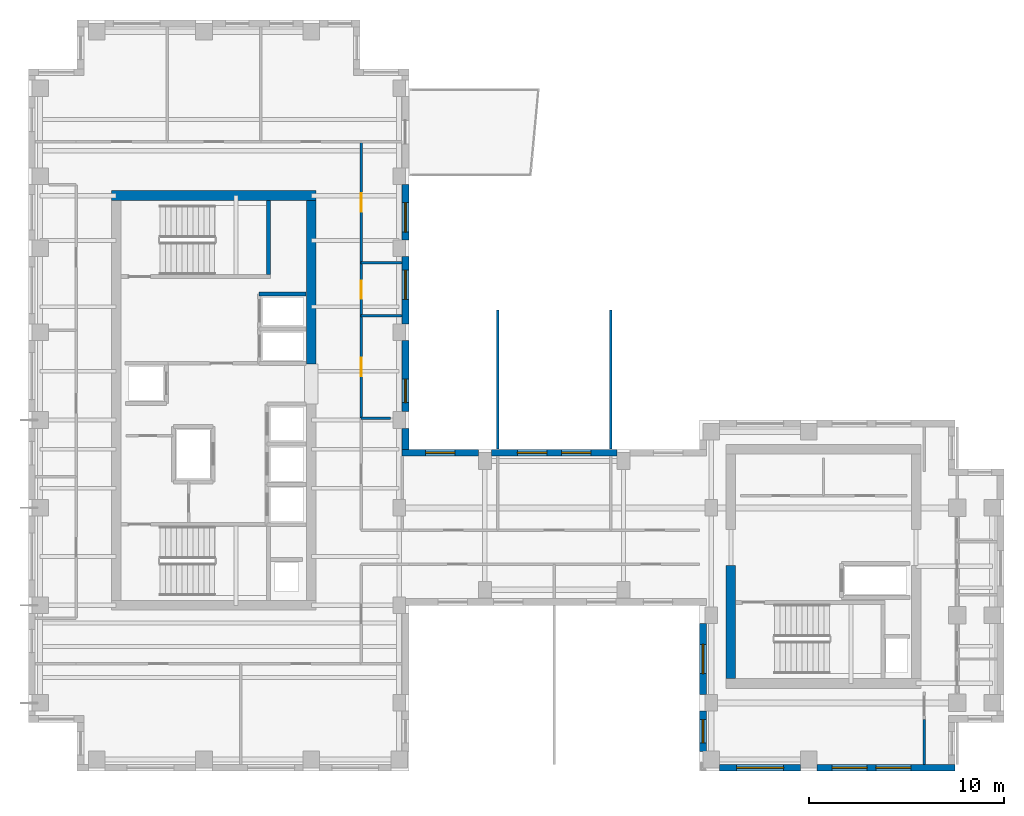
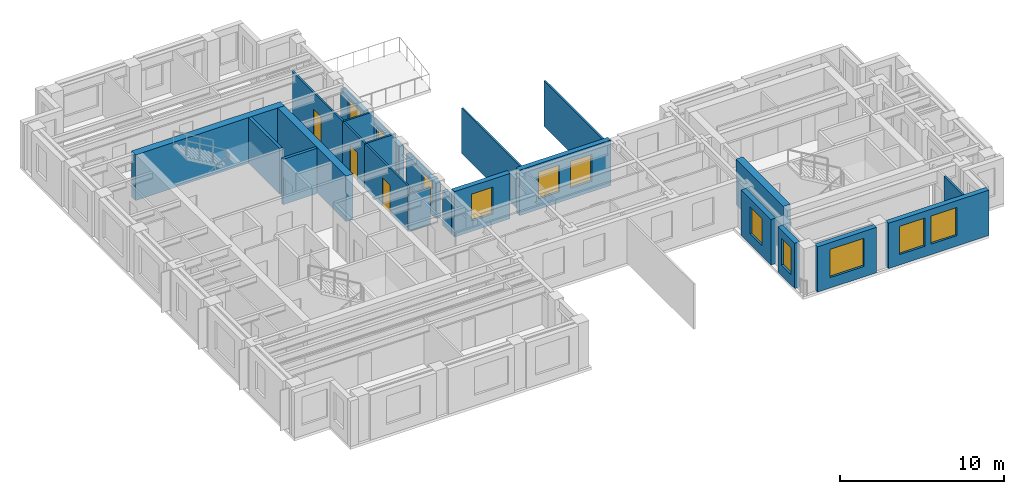
# One storey, part 5 of 10: 24 walls, 11 windows, 3 doors, 14 openings.
"""IFC4 building model written with IfcOpenShell, lengths in metres."""

from ifc_helpers import new_model, si_unit, direction, frame, frame_2d, origin, place, context, subcontext, project, spatial, rectangle, extrude, source, transform, mapped, material, layer, layer_set, type_object, element, fill, save


model = new_model("IFC4")

# Units and contexts
model_context = context("Model", 3, precision=1e-05, world=origin(), true_north=direction((0.0, 1.0)))
body_context = subcontext(model_context, "Body", "Model", "MODEL_VIEW")
ifc_project = project(units=[si_unit("LENGTHUNIT", "METRE"), si_unit("AREAUNIT", "SQUARE_METRE"), si_unit("VOLUMEUNIT", "CUBIC_METRE"), si_unit("PLANEANGLEUNIT", "RADIAN"), si_unit("MASSUNIT", "GRAM", prefix="KILO")], contexts=[model_context])

# Site, building, storey
site_placement = place(None, origin())
site = spatial("IfcSite", under=ifc_project, at=site_placement, CompositionType="ELEMENT")
building_placement = place(site_placement, origin())
building = spatial("IfcBuilding", under=site, at=building_placement, Name="Kharzan Plaza Tower", CompositionType="ELEMENT")
storey_placement = place(building_placement, frame((0.0, 0.0, 237.60009765625)))
storey = spatial("IfcBuildingStorey", under=building, at=storey_placement, Name="L64", CompositionType="ELEMENT", Elevation=237.60009765625)

# Wall, opening, window
ifc_material_1 = material(Name="Concrete C40/50", Category="concrete")
ifc_layer_1 = layer(ifc_material_1, 0.35009765625)
ifc_layer_set_1 = layer_set([ifc_layer_1], Name="Concrete C40/50")
wall_type_1 = type_object("IfcWallType", Name="WL-EXT-MAS-Z4", PredefinedType="SOLIDWALL", material=ifc_layer_set_1)
wall_1_placement = place(storey_placement, frame((19.324951171875, 18.423095703125, 0.0), z_axis=(0.0, 0.0, 1.0), x_axis=(0.0, 1.0, 0.0)))
wall_1 = element("IfcWall", 1, at=wall_1_placement, inside=storey, type_object=wall_type_1, Name="L64 Masonry-Frame Exterior Wall 02", PredefinedType="SOLIDWALL", context=body_context, shape_type="SweptSolid", body=[
    extrude(rectangle(XDim=3.65380859375, YDim=0.35009765625, at=frame_2d((1.826904296875, 0.0))), origin(), (0.0, 0.0, 1.0), 2.618896484375),
])
opening_1_placement = place(wall_1_placement, frame((0.469970703125, 0.0, 0.780029296875)))
opening_1 = element("IfcOpeningElement", 2, at=opening_1_placement, cuts=wall_1, Name="Opening W3", PredefinedType="OPENING", context=body_context, shape_type="SweptSolid", body=[
    extrude(rectangle(XDim=1.199951171875, YDim=1.658935546875, at=frame_2d((0.60009765625, 0.82958984375))), frame((0.0, 0.18505859375, 0.0), z_axis=(0.0, -1.0, 0.0), x_axis=(1.0, 0.0, 0.0)), (0.0, 0.0, 1.0), 0.3701171875),
])
ifc_material_2 = material(Name="Low-E Double Glazing", Category="glass")
window_type_1 = type_object("IfcWindowType", Name="WN-REC-1200x2100", PartitioningType="SINGLE_PANEL", PredefinedType="WINDOW", material=ifc_material_2)
shared_shape_1 = source(origin(), body_context, "Body", "SweptSolid", [
    extrude(rectangle(XDim=1.199951171875, YDim=1.658935546875, at=frame_2d((0.60009765625, 0.82958984375))), frame((0.0, 0.030029296875, 0.0), z_axis=(0.0, -1.0, 0.0), x_axis=(1.0, 0.0, 0.0)), (0.0, 0.0, 1.0), 0.06005859375),
])
window_1_placement = place(opening_1_placement, origin())
window_1 = element("IfcWindow", 3, at=window_1_placement, inside=storey, type_object=window_type_1, Name="L64 Recessed Solar-Control Window 02-1", OverallHeight=1.658935546875, OverallWidth=1.199951171875, PartitioningType="SINGLE_PANEL", PredefinedType="WINDOW", context=body_context, shape_type="MappedRepresentation", body=[
    mapped(shared_shape_1, transform((0.0, 0.0, 0.0), x_axis=(1.0, 0.0, 0.0), y_axis=(0.0, 1.0, 0.0), z_axis=(0.0, 0.0, 1.0))),
])
fill(opening_1, window_1)

wall_2_placement = place(storey_placement, frame((19.324951171875, 22.923095703125, 0.0), z_axis=(0.0, 0.0, 1.0), x_axis=(0.0, 1.0, 0.0)))
wall_2 = element("IfcWall", 4, at=wall_2_placement, inside=storey, type_object=wall_type_1, Name="L64 Masonry-Frame Exterior Wall 03", PredefinedType="SOLIDWALL", context=body_context, shape_type="SweptSolid", body=[
    extrude(rectangle(XDim=3.453857421875, YDim=0.35009765625, at=frame_2d((1.72705078125, 0.0))), origin(), (0.0, 0.0, 1.0), 2.618896484375),
])
opening_2_placement = place(wall_2_placement, frame((1.255615234375, 0.0, 0.780029296875)))
opening_2 = element("IfcOpeningElement", 5, at=opening_2_placement, cuts=wall_2, Name="Opening W5", PredefinedType="OPENING", context=body_context, shape_type="SweptSolid", body=[
    extrude(rectangle(XDim=1.5, YDim=1.658935546875, at=frame_2d((0.75, 0.82958984375))), frame((0.0, 0.18505859375, 0.0), z_axis=(0.0, -1.0, 0.0), x_axis=(1.0, 0.0, 0.0)), (0.0, 0.0, 1.0), 0.3701171875),
])
window_type_2 = type_object("IfcWindowType", Name="WN-SLT-1500x2000", PartitioningType="SINGLE_PANEL", PredefinedType="WINDOW", material=ifc_material_2)
shared_shape_2 = source(origin(), body_context, "Body", "SweptSolid", [
    extrude(rectangle(XDim=1.5, YDim=1.658935546875, at=frame_2d((0.75, 0.82958984375))), frame((0.0, 0.030029296875, 0.0), z_axis=(0.0, -1.0, 0.0), x_axis=(1.0, 0.0, 0.0)), (0.0, 0.0, 1.0), 0.06005859375),
])
window_2_placement = place(opening_2_placement, origin())
window_2 = element("IfcWindow", 6, at=window_2_placement, inside=storey, type_object=window_type_2, Name="L64 Recessed Solar-Control Window 03-1", OverallHeight=1.658935546875, OverallWidth=1.5, PartitioningType="SINGLE_PANEL", PredefinedType="WINDOW", context=body_context, shape_type="MappedRepresentation", body=[
    mapped(shared_shape_2, transform((0.0, 0.0, 0.0), x_axis=(1.0, 0.0, 0.0), y_axis=(0.0, 1.0, 0.0), z_axis=(0.0, 0.0, 1.0))),
])
fill(opening_2, window_2)

wall_3_placement = place(storey_placement, frame((19.324951171875, 27.222900390625, 0.0), z_axis=(0.0, 0.0, 1.0), x_axis=(0.0, 1.0, 0.0)))
wall_3 = element("IfcWall", 7, at=wall_3_placement, inside=storey, type_object=wall_type_1, Name="L64 Masonry-Frame Exterior Wall 04", PredefinedType="SOLIDWALL", context=body_context, shape_type="SweptSolid", body=[
    extrude(rectangle(XDim=2.85400390625, YDim=0.35009765625, at=frame_2d((1.427001953125, 0.0))), origin(), (0.0, 0.0, 1.0), 2.618896484375),
])
opening_3_placement = place(wall_3_placement, frame((0.411376953125, 0.0, 0.780029296875)))
opening_3 = element("IfcOpeningElement", 8, at=opening_3_placement, cuts=wall_3, Name="Opening W5", PredefinedType="OPENING", context=body_context, shape_type="SweptSolid", body=[
    extrude(rectangle(XDim=1.5, YDim=1.658935546875, at=frame_2d((0.75, 0.82958984375))), frame((0.0, 0.18505859375, 0.0), z_axis=(0.0, -1.0, 0.0), x_axis=(1.0, 0.0, 0.0)), (0.0, 0.0, 1.0), 0.3701171875),
])
window_3_placement = place(opening_3_placement, origin())
window_3 = element("IfcWindow", 9, at=window_3_placement, inside=storey, type_object=window_type_2, Name="L64 Recessed Solar-Control Window 04-1", OverallHeight=1.658935546875, OverallWidth=1.5, PartitioningType="SINGLE_PANEL", PredefinedType="WINDOW", context=body_context, shape_type="MappedRepresentation", body=[
    mapped(shared_shape_2, transform((0.0, 0.0, 0.0), x_axis=(1.0, 0.0, 0.0), y_axis=(0.0, 1.0, 0.0), z_axis=(0.0, 0.0, 1.0))),
])
fill(opening_3, window_3)

wall_4_placement = place(storey_placement, frame((34.574951171875, 7.576904296875, 0.0), z_axis=(0.0, 0.0, 1.0), x_axis=(0.0, -1.0, 0.0)))
wall_4 = element("IfcWall", 10, at=wall_4_placement, inside=storey, type_object=wall_type_1, Name="L64 Masonry-Frame Exterior Wall 33", PredefinedType="SOLIDWALL", context=body_context, shape_type="SweptSolid", body=[
    extrude(rectangle(XDim=3.65380859375, YDim=0.35009765625, at=frame_2d((1.826904296875, 0.0))), origin(), (0.0, 0.0, 1.0), 3.385009765625),
])
opening_4_placement = place(wall_4_placement, frame((1.076904296875, 0.0, 0.780029296875)))
opening_4 = element("IfcOpeningElement", 11, at=opening_4_placement, cuts=wall_4, Name="Opening W5", PredefinedType="OPENING", context=body_context, shape_type="SweptSolid", body=[
    extrude(rectangle(XDim=1.5, YDim=2.0, at=frame_2d((0.75, 1.0))), frame((0.0, 0.18505859375, 0.0), z_axis=(0.0, -1.0, 0.0), x_axis=(1.0, 0.0, 0.0)), (0.0, 0.0, 1.0), 0.3701171875),
])
shared_shape_3 = source(origin(), body_context, "Body", "SweptSolid", [
    extrude(rectangle(XDim=1.5, YDim=2.0, at=frame_2d((0.75, 1.0))), frame((0.0, 0.030029296875, 0.0), z_axis=(0.0, -1.0, 0.0), x_axis=(1.0, 0.0, 0.0)), (0.0, 0.0, 1.0), 0.06005859375),
])
window_4_placement = place(opening_4_placement, origin())
window_4 = element("IfcWindow", 12, at=window_4_placement, inside=storey, type_object=window_type_2, Name="L64 Recessed Solar-Control Window 33-1", OverallHeight=2.0, OverallWidth=1.5, PartitioningType="SINGLE_PANEL", PredefinedType="WINDOW", context=body_context, shape_type="MappedRepresentation", body=[
    mapped(shared_shape_3, transform((0.0, 0.0, 0.0), x_axis=(1.0, 0.0, 0.0), y_axis=(0.0, 1.0, 0.0), z_axis=(0.0, 0.0, 1.0))),
])
fill(opening_4, window_4)

wall_5_placement = place(storey_placement, frame((34.574951171875, 3.076904296875, 0.0), z_axis=(0.0, 0.0, 1.0), x_axis=(0.0, -1.0, 0.0)))
wall_5 = element("IfcWall", 13, at=wall_5_placement, inside=storey, type_object=wall_type_1, Name="L64 Masonry-Frame Exterior Wall 34", PredefinedType="SOLIDWALL", context=body_context, shape_type="SweptSolid", body=[
    extrude(rectangle(XDim=2.053955078125, YDim=0.35009765625, at=frame_2d((1.02685546875, 0.0))), origin(), (0.0, 0.0, 1.0), 3.385009765625),
])
opening_5_placement = place(wall_5_placement, frame((0.427001953125, 0.0, 0.780029296875)))
opening_5 = element("IfcOpeningElement", 14, at=opening_5_placement, cuts=wall_5, Name="Opening W3", PredefinedType="OPENING", context=body_context, shape_type="SweptSolid", body=[
    extrude(rectangle(XDim=1.199951171875, YDim=2.0, at=frame_2d((0.60009765625, 1.0))), frame((0.0, 0.18505859375, 0.0), z_axis=(0.0, -1.0, 0.0), x_axis=(1.0, 0.0, 0.0)), (0.0, 0.0, 1.0), 0.3701171875),
])
shared_shape_4 = source(origin(), body_context, "Body", "SweptSolid", [
    extrude(rectangle(XDim=1.199951171875, YDim=2.0, at=frame_2d((0.60009765625, 1.0))), frame((0.0, 0.030029296875, 0.0), z_axis=(0.0, -1.0, 0.0), x_axis=(1.0, 0.0, 0.0)), (0.0, 0.0, 1.0), 0.06005859375),
])
window_5_placement = place(opening_5_placement, origin())
window_5 = element("IfcWindow", 15, at=window_5_placement, inside=storey, type_object=window_type_1, Name="L64 Recessed Solar-Control Window 34-1", OverallHeight=2.0, OverallWidth=1.199951171875, PartitioningType="SINGLE_PANEL", PredefinedType="WINDOW", context=body_context, shape_type="MappedRepresentation", body=[
    mapped(shared_shape_4, transform((0.0, 0.0, 0.0), x_axis=(1.0, 0.0, 0.0), y_axis=(0.0, 1.0, 0.0), z_axis=(0.0, 0.0, 1.0))),
])
fill(opening_5, window_5)

wall_6_placement = place(storey_placement, frame((35.423095703125, 0.175048828125, 0.0), z_axis=(0.0, 0.0, 1.0), x_axis=(1.0, 0.0, 0.0)))
wall_6 = element("IfcWall", 16, at=wall_6_placement, inside=storey, type_object=wall_type_1, Name="L64 Masonry-Frame Exterior Wall 35", PredefinedType="SOLIDWALL", context=body_context, shape_type="SweptSolid", body=[
    extrude(rectangle(XDim=4.15380859375, YDim=0.35009765625, at=frame_2d((2.076904296875, 0.0))), origin(), (0.0, 0.0, 1.0), 3.385009765625),
])
opening_6_placement = place(wall_6_placement, frame((0.876953125, 0.0, 0.780029296875)))
opening_6 = element("IfcOpeningElement", 17, at=opening_6_placement, cuts=wall_6, Name="Opening W2", PredefinedType="OPENING", context=body_context, shape_type="SweptSolid", body=[
    extrude(rectangle(XDim=2.39990234375, YDim=2.10009765625, at=frame_2d((1.199951171875, 1.050048828125))), frame((0.0, 0.18505859375, 0.0), z_axis=(0.0, -1.0, 0.0), x_axis=(1.0, 0.0, 0.0)), (0.0, 0.0, 1.0), 0.3701171875),
])
window_type_3 = type_object("IfcWindowType", Name="WN-REC-2400x2100", PartitioningType="SINGLE_PANEL", PredefinedType="WINDOW", material=ifc_material_2)
shared_shape_5 = source(origin(), body_context, "Body", "SweptSolid", [
    extrude(rectangle(XDim=2.39990234375, YDim=2.10009765625, at=frame_2d((1.199951171875, 1.050048828125))), frame((0.0, 0.030029296875, 0.0), z_axis=(0.0, -1.0, 0.0), x_axis=(1.0, 0.0, 0.0)), (0.0, 0.0, 1.0), 0.06005859375),
])
window_6_placement = place(opening_6_placement, origin())
window_6 = element("IfcWindow", 18, at=window_6_placement, inside=storey, type_object=window_type_3, Name="L64 Wide Recessed Solar-Control Window 35-1", OverallHeight=2.10009765625, OverallWidth=2.39990234375, PartitioningType="SINGLE_PANEL", PredefinedType="WINDOW", context=body_context, shape_type="MappedRepresentation", body=[
    mapped(shared_shape_5, transform((0.0, 0.0, 0.0), x_axis=(1.0, 0.0, 0.0), y_axis=(0.0, 1.0, 0.0), z_axis=(0.0, 0.0, 1.0))),
])
fill(opening_6, window_6)

# Wall, openings, windows
wall_7_placement = place(storey_placement, frame((40.423095703125, 0.175048828125, 0.0), z_axis=(0.0, 0.0, 1.0), x_axis=(1.0, 0.0, 0.0)))
wall_7 = element("IfcWall", 19, at=wall_7_placement, inside=storey, type_object=wall_type_1, Name="L64 Masonry-Frame Exterior Wall 36", PredefinedType="SOLIDWALL", context=body_context, shape_type="SweptSolid", body=[
    extrude(rectangle(XDim=7.076904296875, YDim=0.35009765625, at=frame_2d((3.53857421875, 0.0))), origin(), (0.0, 0.0, 1.0), 3.385009765625),
])
opening_7_placement = place(wall_7_placement, frame((0.76220703125, 0.0, 0.780029296875)))
opening_7 = element("IfcOpeningElement", 20, at=opening_7_placement, cuts=wall_7, Name="Opening W1", PredefinedType="OPENING", context=body_context, shape_type="SweptSolid", body=[
    extrude(rectangle(XDim=1.800048828125, YDim=2.10009765625, at=frame_2d((0.89990234375, 1.050048828125))), frame((0.0, 0.18505859375, 0.0), z_axis=(0.0, -1.0, 0.0), x_axis=(1.0, 0.0, 0.0)), (0.0, 0.0, 1.0), 0.3701171875),
])
opening_8_placement = place(wall_7_placement, frame((3.004638671875, 0.0, 0.780029296875)))
opening_8 = element("IfcOpeningElement", 21, at=opening_8_placement, cuts=wall_7, Name="Opening W1", PredefinedType="OPENING", context=body_context, shape_type="SweptSolid", body=[
    extrude(rectangle(XDim=1.800048828125, YDim=2.10009765625, at=frame_2d((0.89990234375, 1.050048828125))), frame((0.0, 0.18505859375, 0.0), z_axis=(0.0, -1.0, 0.0), x_axis=(1.0, 0.0, 0.0)), (0.0, 0.0, 1.0), 0.3701171875),
])
window_type_4 = type_object("IfcWindowType", Name="WN-REC-1800x2100", PartitioningType="SINGLE_PANEL", PredefinedType="WINDOW", material=ifc_material_2)
shared_shape_6 = source(origin(), body_context, "Body", "SweptSolid", [
    extrude(rectangle(XDim=1.800048828125, YDim=2.10009765625, at=frame_2d((0.89990234375, 1.050048828125))), frame((0.0, 0.030029296875, 0.0), z_axis=(0.0, -1.0, 0.0), x_axis=(1.0, 0.0, 0.0)), (0.0, 0.0, 1.0), 0.06005859375),
])
window_7_placement = place(opening_7_placement, origin())
window_7 = element("IfcWindow", 22, at=window_7_placement, inside=storey, type_object=window_type_4, Name="L64 Recessed Solar-Control Window 36-1", OverallHeight=2.10009765625, OverallWidth=1.800048828125, PartitioningType="SINGLE_PANEL", PredefinedType="WINDOW", context=body_context, shape_type="MappedRepresentation", body=[
    mapped(shared_shape_6, transform((0.0, 0.0, 0.0), x_axis=(1.0, 0.0, 0.0), y_axis=(0.0, 1.0, 0.0), z_axis=(0.0, 0.0, 1.0))),
])
fill(opening_7, window_7)
window_8_placement = place(opening_8_placement, origin())
window_8 = element("IfcWindow", 23, at=window_8_placement, inside=storey, type_object=window_type_4, Name="L64 Recessed Solar-Control Window 36-2", OverallHeight=2.10009765625, OverallWidth=1.800048828125, PartitioningType="SINGLE_PANEL", PredefinedType="WINDOW", context=body_context, shape_type="MappedRepresentation", body=[
    mapped(shared_shape_6, transform((0.0, 0.0, 0.0), x_axis=(1.0, 0.0, 0.0), y_axis=(0.0, 1.0, 0.0), z_axis=(0.0, 0.0, 1.0))),
])
fill(opening_8, window_8)

wall_8_placement = place(storey_placement, frame((30.177001953125, 16.324951171875, 0.0), z_axis=(0.0, 0.0, 1.0), x_axis=(-1.0, 0.0, 0.0)))
wall_8 = element("IfcWall", 24, at=wall_8_placement, inside=storey, type_object=wall_type_1, Name="L64 Masonry-Frame Exterior Wall 49", PredefinedType="SOLIDWALL", context=body_context, shape_type="SweptSolid", body=[
    extrude(rectangle(XDim=6.4541015625, YDim=0.35009765625, at=frame_2d((3.22705078125, 0.0))), origin(), (0.0, 0.0, 1.0), 3.385009765625),
])
opening_9_placement = place(wall_8_placement, frame((1.34375, 0.0, 0.780029296875)))
opening_9 = element("IfcOpeningElement", 25, at=opening_9_placement, cuts=wall_8, Name="Opening W5", PredefinedType="OPENING", context=body_context, shape_type="SweptSolid", body=[
    extrude(rectangle(XDim=1.5, YDim=2.0, at=frame_2d((0.75, 1.0))), frame((0.0, 0.18505859375, 0.0), z_axis=(0.0, -1.0, 0.0), x_axis=(1.0, 0.0, 0.0)), (0.0, 0.0, 1.0), 0.3701171875),
])
opening_10_placement = place(wall_8_placement, frame((3.6103515625, 0.0, 0.780029296875)))
opening_10 = element("IfcOpeningElement", 26, at=opening_10_placement, cuts=wall_8, Name="Opening W5", PredefinedType="OPENING", context=body_context, shape_type="SweptSolid", body=[
    extrude(rectangle(XDim=1.5, YDim=2.0, at=frame_2d((0.75, 1.0))), frame((0.0, 0.18505859375, 0.0), z_axis=(0.0, -1.0, 0.0), x_axis=(1.0, 0.0, 0.0)), (0.0, 0.0, 1.0), 0.3701171875),
])
window_9_placement = place(opening_9_placement, origin())
window_9 = element("IfcWindow", 27, at=window_9_placement, inside=storey, type_object=window_type_2, Name="L64 Recessed Solar-Control Window 49-1", OverallHeight=2.0, OverallWidth=1.5, PartitioningType="SINGLE_PANEL", PredefinedType="WINDOW", context=body_context, shape_type="MappedRepresentation", body=[
    mapped(shared_shape_3, transform((0.0, 0.0, 0.0), x_axis=(1.0, 0.0, 0.0), y_axis=(0.0, 1.0, 0.0), z_axis=(0.0, 0.0, 1.0))),
])
fill(opening_9, window_9)
window_10_placement = place(opening_10_placement, origin())
window_10 = element("IfcWindow", 28, at=window_10_placement, inside=storey, type_object=window_type_2, Name="L64 Recessed Solar-Control Window 49-2", OverallHeight=2.0, OverallWidth=1.5, PartitioningType="SINGLE_PANEL", PredefinedType="WINDOW", context=body_context, shape_type="MappedRepresentation", body=[
    mapped(shared_shape_3, transform((0.0, 0.0, 0.0), x_axis=(1.0, 0.0, 0.0), y_axis=(0.0, 1.0, 0.0), z_axis=(0.0, 0.0, 1.0))),
])
fill(opening_10, window_10)

# Wall, opening, window
wall_9_placement = place(storey_placement, frame((23.076904296875, 16.324951171875, 0.0), z_axis=(0.0, 0.0, 1.0), x_axis=(-1.0, 0.0, 0.0)))
wall_9 = element("IfcWall", 29, at=wall_9_placement, inside=storey, type_object=wall_type_1, Name="L64 Masonry-Frame Exterior Wall 50", PredefinedType="SOLIDWALL", context=body_context, shape_type="SweptSolid", body=[
    extrude(rectangle(XDim=3.927001953125, YDim=0.35009765625, at=frame_2d((1.96337890625, 0.0))), origin(), (0.0, 0.0, 1.0), 3.385009765625),
])
opening_11_placement = place(wall_9_placement, frame((1.21337890625, 0.0, 0.780029296875)))
opening_11 = element("IfcOpeningElement", 30, at=opening_11_placement, cuts=wall_9, Name="Opening W5", PredefinedType="OPENING", context=body_context, shape_type="SweptSolid", body=[
    extrude(rectangle(XDim=1.5, YDim=2.0, at=frame_2d((0.75, 1.0))), frame((0.0, 0.18505859375, 0.0), z_axis=(0.0, -1.0, 0.0), x_axis=(1.0, 0.0, 0.0)), (0.0, 0.0, 1.0), 0.3701171875),
])
window_11_placement = place(opening_11_placement, origin())
window_11 = element("IfcWindow", 31, at=window_11_placement, inside=storey, type_object=window_type_2, Name="L64 Recessed Solar-Control Window 50-1", OverallHeight=2.0, OverallWidth=1.5, PartitioningType="SINGLE_PANEL", PredefinedType="WINDOW", context=body_context, shape_type="MappedRepresentation", body=[
    mapped(shared_shape_3, transform((0.0, 0.0, 0.0), x_axis=(1.0, 0.0, 0.0), y_axis=(0.0, 1.0, 0.0), z_axis=(0.0, 0.0, 1.0))),
])
fill(opening_11, window_11)

# Wall, opening, door
ifc_material_3 = material(Name="Fire-Rated Gypsum Board Partition", Category="gypsum")
ifc_layer_2 = layer(ifc_material_3, 0.125)
ifc_layer_set_2 = layer_set([ifc_layer_2], Name="Fire-Rated Gypsum Board Partition")
wall_type_2 = type_object("IfcWallType", Name="WL-INT-PART-125", PredefinedType="PARTITIONING", material=ifc_layer_set_2)
wall_10_placement = place(storey_placement, frame((17.050048828125, 18.10009765625, 0.0), z_axis=(0.0, 0.0, 1.0), x_axis=(0.0, 1.0, 0.0)))
wall_10 = element("IfcWall", 32, at=wall_10_placement, inside=storey, type_object=wall_type_2, Name="L64 Interior Partition SH-AEWN2", PredefinedType="PARTITIONING", context=body_context, shape_type="SweptSolid", body=[
    extrude(rectangle(XDim=5.25, YDim=0.125, at=frame_2d((2.625, 0.0))), origin(), (0.0, 0.0, 1.0), 3.385009765625),
])
opening_12_placement = place(wall_10_placement, frame((2.14990234375, 0.0, 0.0)))
opening_12 = element("IfcOpeningElement", 33, at=opening_12_placement, cuts=wall_10, Name="Opening OD1", PredefinedType="OPENING", context=body_context, shape_type="SweptSolid", body=[
    extrude(rectangle(XDim=0.949951171875, YDim=2.14990234375, at=frame_2d((0.47509765625, 1.074951171875))), frame((0.0, 0.072509765625, 0.0), z_axis=(0.0, -1.0, 0.0), x_axis=(1.0, 0.0, 0.0)), (0.0, 0.0, 1.0), 0.14501953125),
])
ifc_material_4 = material(Name="Acoustic Solid-Core Stained Oak", Category="timber")
door_type_1 = type_object("IfcDoorType", Name="DR-OFF-SINGLE", OperationType="NOTDEFINED", PredefinedType="DOOR", material=ifc_material_4)
shared_shape_7 = source(origin(), body_context, "Body", "SweptSolid", [
    extrude(rectangle(XDim=0.949951171875, YDim=2.14990234375, at=frame_2d((0.47509765625, 1.074951171875))), frame((0.0, 0.02490234375, 0.0), z_axis=(0.0, -1.0, 0.0), x_axis=(1.0, 0.0, 0.0)), (0.0, 0.0, 1.0), 0.050048828125),
])
door_1_placement = place(opening_12_placement, origin())
door_1 = element("IfcDoor", 34, at=door_1_placement, inside=storey, type_object=door_type_1, Name="L64 Slot Studio Door", OperationType="SINGLE_SWING_RIGHT", OverallHeight=2.14990234375, OverallWidth=0.949951171875, PredefinedType="DOOR", context=body_context, shape_type="MappedRepresentation", body=[
    mapped(shared_shape_7, transform((0.0, 0.0, 0.0), x_axis=(1.0, 0.0, 0.0), y_axis=(0.0, 1.0, 0.0), z_axis=(0.0, 0.0, 1.0))),
])
fill(opening_12, door_1)

wall_11_placement = place(storey_placement, frame((17.050048828125, 26.050048828125, 0.0), z_axis=(0.0, 0.0, 1.0), x_axis=(0.0, 1.0, 0.0)))
wall_11 = element("IfcWall", 35, at=wall_11_placement, inside=storey, type_object=wall_type_2, Name="L64 Interior Partition SH-AEWN3", PredefinedType="PARTITIONING", context=body_context, shape_type="SweptSolid", body=[
    extrude(rectangle(XDim=6.199951171875, YDim=0.125, at=frame_2d((3.10009765625, 0.0))), origin(), (0.0, 0.0, 1.0), 3.385009765625),
])
opening_13_placement = place(wall_11_placement, frame((2.625, 0.0, 0.0)))
opening_13 = element("IfcOpeningElement", 36, at=opening_13_placement, cuts=wall_11, Name="Opening OD1", PredefinedType="OPENING", context=body_context, shape_type="SweptSolid", body=[
    extrude(rectangle(XDim=0.949951171875, YDim=2.14990234375, at=frame_2d((0.47509765625, 1.074951171875))), frame((0.0, 0.072509765625, 0.0), z_axis=(0.0, -1.0, 0.0), x_axis=(1.0, 0.0, 0.0)), (0.0, 0.0, 1.0), 0.14501953125),
])
door_2_placement = place(opening_13_placement, origin())
door_2 = element("IfcDoor", 37, at=door_2_placement, inside=storey, type_object=door_type_1, Name="L64 Staff Tea Point Door", OperationType="SINGLE_SWING_RIGHT", OverallHeight=2.14990234375, OverallWidth=0.949951171875, PredefinedType="DOOR", context=body_context, shape_type="MappedRepresentation", body=[
    mapped(shared_shape_7, transform((0.0, 0.0, 0.0), x_axis=(1.0, 0.0, 0.0), y_axis=(0.0, 1.0, 0.0), z_axis=(0.0, 0.0, 1.0))),
])
fill(opening_13, door_2)

wall_12_placement = place(storey_placement, frame((17.050048828125, 23.35009765625, 0.0), z_axis=(0.0, 0.0, 1.0), x_axis=(0.0, 1.0, 0.0)))
wall_12 = element("IfcWall", 38, at=wall_12_placement, inside=storey, type_object=wall_type_2, Name="L64 Interior Partition SH-AEWW", PredefinedType="PARTITIONING", context=body_context, shape_type="SweptSolid", body=[
    extrude(rectangle(XDim=2.699951171875, YDim=0.125, at=frame_2d((1.35009765625, 0.0))), origin(), (0.0, 0.0, 1.0), 3.385009765625),
])
opening_14_placement = place(wall_12_placement, frame((0.875, 0.0, 0.0)))
opening_14 = element("IfcOpeningElement", 39, at=opening_14_placement, cuts=wall_12, Name="Opening WD1", PredefinedType="OPENING", context=body_context, shape_type="SweptSolid", body=[
    extrude(rectangle(XDim=0.89990234375, YDim=2.14990234375, at=frame_2d((0.449951171875, 1.074951171875))), frame((0.0, 0.072509765625, 0.0), z_axis=(0.0, -1.0, 0.0), x_axis=(1.0, 0.0, 0.0)), (0.0, 0.0, 1.0), 0.14501953125),
])
ifc_material_5 = material(Name="Moisture-Resistant Fire-Rated Laminate", Category="timber")
door_type_2 = type_object("IfcDoorType", Name="DR-WC-900", OperationType="NOTDEFINED", PredefinedType="DOOR", material=ifc_material_5)
shared_shape_8 = source(origin(), body_context, "Body", "SweptSolid", [
    extrude(rectangle(XDim=0.89990234375, YDim=2.14990234375, at=frame_2d((0.449951171875, 1.074951171875))), frame((0.0, 0.02490234375, 0.0), z_axis=(0.0, -1.0, 0.0), x_axis=(1.0, 0.0, 0.0)), (0.0, 0.0, 1.0), 0.050048828125),
])
door_3_placement = place(opening_14_placement, origin())
door_3 = element("IfcDoor", 40, at=door_3_placement, inside=storey, type_object=door_type_2, Name="L64 Wing A Washroom Door", OperationType="SINGLE_SWING_LEFT", OverallHeight=2.14990234375, OverallWidth=0.89990234375, PredefinedType="DOOR", context=body_context, shape_type="MappedRepresentation", body=[
    mapped(shared_shape_8, transform((0.0, 0.0, 0.0), x_axis=(1.0, 0.0, 0.0), y_axis=(0.0, 1.0, 0.0), z_axis=(0.0, 0.0, 1.0))),
])
fill(opening_14, door_3)

# Walls
shared_shape_9 = source(origin(), body_context, "Body", "SweptSolid", [
    extrude(rectangle(XDim=2.097900390625, YDim=0.125, at=frame_2d((1.048828125, 0.0))), origin(), (0.0, 0.0, 1.0), 3.385009765625),
])
for number, where, z_axis, x_axis, name in (
    (41, (17.050048828125, 23.35009765625, 0.0), (0.0, 0.0, 1.0), (1.0, 0.0, 0.0), "L64 Interior Partition SH-AEH-233"),
    (42, (17.050048828125, 26.050048828125, 0.0), (0.0, 0.0, 1.0), (1.0, 0.0, 0.0), "L64 Interior Partition SH-AEH-260"),
):
    element("IfcWall", number, at=place(storey_placement, frame(where, z_axis=z_axis, x_axis=x_axis)), inside=storey, type_object=wall_type_2, Name=name, PredefinedType="PARTITIONING", context=body_context, shape_type="MappedRepresentation", body=[
        mapped(shared_shape_9, transform((0.0, 0.0, 0.0), x_axis=(1.0, 0.0, 0.0), y_axis=(0.0, 1.0, 0.0), z_axis=(0.0, 0.0, 1.0))),
    ])
shared_shape_10 = source(origin(), body_context, "Body", "SweptSolid", [
    extrude(rectangle(XDim=2.2978515625, YDim=0.125, at=frame_2d((1.14892578125, 0.0))), origin(), (0.0, 0.0, 1.0), 3.385009765625),
])
wall_13_placement = place(storey_placement, frame((45.919921875, 0.35205078125, 0.0), z_axis=(0.0, 0.0, 1.0), x_axis=(0.0, 1.0, 0.0)))
element("IfcWall", 43, at=wall_13_placement, inside=storey, type_object=wall_type_2, Name="L64 Interior Partition SH-RBSE0", PredefinedType="PARTITIONING", context=body_context, shape_type="MappedRepresentation", body=[
    mapped(shared_shape_10, transform((0.0, 0.0, 0.0), x_axis=(1.0, 0.0, 0.0), y_axis=(0.0, 1.0, 0.0), z_axis=(0.0, 0.0, 1.0))),
])
ifc_layer_3 = layer(ifc_material_1, 0.199951171875)
ifc_layer_set_3 = layer_set([ifc_layer_3], Name="Concrete C40/50")
wall_type_3 = type_object("IfcWallType", Name="WL-INT-SHAFT-200", PredefinedType="PARTITIONING", material=ifc_layer_set_3)
shared_shape_11 = source(origin(), body_context, "Body", "SweptSolid", [
    extrude(rectangle(XDim=2.389892578125, YDim=0.199951171875, at=frame_2d((1.19482421875, 0.0))), origin(), (0.0, 0.0, 1.0), 3.385009765625),
])
wall_14_placement = place(storey_placement, frame((11.830078125, 24.4599609375, 0.0), z_axis=(0.0, 0.0, 1.0), x_axis=(1.0, 0.0, 0.0)))
element("IfcWall", 44, at=wall_14_placement, inside=storey, type_object=wall_type_3, Name="L64 Interior Partition SHF-FFL-2-N", PredefinedType="PARTITIONING", context=body_context, shape_type="MappedRepresentation", body=[
    mapped(shared_shape_11, transform((0.0, 0.0, 0.0), x_axis=(1.0, 0.0, 0.0), y_axis=(0.0, 1.0, 0.0), z_axis=(0.0, 0.0, 1.0))),
])
ifc_material_6 = material(Name="Concrete C50/60", Category="concrete")
ifc_layer_4 = layer(ifc_material_6, 0.5)
ifc_layer_set_4 = layer_set([ifc_layer_4], Name="Concrete C50/60")
wall_type_4 = type_object("IfcWallType", Name="WL-CORE-500", PredefinedType="SHEAR", material=ifc_layer_set_4)
shared_shape_12 = source(origin(), body_context, "Body", "SweptSolid", [
    extrude(rectangle(XDim=8.3701171875, YDim=0.5, at=frame_2d((4.18505859375, 0.0))), origin(), (0.0, 0.0, 1.0), 3.39990234375),
])
wall_15_placement = place(storey_placement, frame((14.5, 20.8798828125, 0.0), z_axis=(0.0, 0.0, 1.0), x_axis=(0.0, 1.0, 0.0)))
element("IfcWall", 45, at=wall_15_placement, inside=storey, type_object=wall_type_4, Name="L64 CORE-A east shear pier 2", PredefinedType="SHEAR", context=body_context, shape_type="MappedRepresentation", body=[
    mapped(shared_shape_12, transform((0.0, 0.0, 0.0), x_axis=(1.0, 0.0, 0.0), y_axis=(0.0, 1.0, 0.0), z_axis=(0.0, 0.0, 1.0))),
])
shared_shape_13 = source(origin(), body_context, "Body", "SweptSolid", [
    extrude(rectangle(XDim=10.5, YDim=0.5, at=frame_2d((5.25, 0.0))), origin(), (0.0, 0.0, 1.0), 3.39990234375),
])
wall_16_placement = place(storey_placement, frame((4.25, 29.5, 0.0), z_axis=(0.0, 0.0, 1.0), x_axis=(1.0, 0.0, 0.0)))
element("IfcWall", 46, at=wall_16_placement, inside=storey, type_object=wall_type_4, Name="L64 CORE-A north RC shear wall", PredefinedType="SHEAR", context=body_context, shape_type="MappedRepresentation", body=[
    mapped(shared_shape_13, transform((0.0, 0.0, 0.0), x_axis=(1.0, 0.0, 0.0), y_axis=(0.0, 1.0, 0.0), z_axis=(0.0, 0.0, 1.0))),
])
shared_shape_14 = source(origin(), body_context, "Body", "SweptSolid", [
    extrude(rectangle(XDim=5.800048828125, YDim=0.5, at=frame_2d((2.89990234375, 0.0))), origin(), (0.0, 0.0, 1.0), 3.39990234375),
])
wall_17_placement = place(storey_placement, frame((36.0, 4.75, 0.0), z_axis=(0.0, 0.0, 1.0), x_axis=(0.0, 1.0, 0.0)))
element("IfcWall", 47, at=wall_17_placement, inside=storey, type_object=wall_type_4, Name="L64 CORE-B west shear pier 1", PredefinedType="SHEAR", context=body_context, shape_type="MappedRepresentation", body=[
    mapped(shared_shape_14, transform((0.0, 0.0, 0.0), x_axis=(1.0, 0.0, 0.0), y_axis=(0.0, 1.0, 0.0), z_axis=(0.0, 0.0, 1.0))),
])
shared_shape_15 = source(origin(), body_context, "Body", "SweptSolid", [
    extrude(rectangle(XDim=1.5, YDim=0.125, at=frame_2d((0.75, 0.0))), origin(), (0.0, 0.0, 1.0), 2.77294921875),
])
wall_18_placement = place(storey_placement, frame((17.050048828125, 18.10009765625, 0.0), z_axis=(0.0, 0.0, 1.0), x_axis=(1.0, 0.0, 0.0)))
element("IfcWall", 48, at=wall_18_placement, inside=storey, type_object=wall_type_2, Name="L64 Interior Partition SH-AEH-181", PredefinedType="PARTITIONING", context=body_context, shape_type="MappedRepresentation", body=[
    mapped(shared_shape_15, transform((0.0, 0.0, 0.0), x_axis=(1.0, 0.0, 0.0), y_axis=(0.0, 1.0, 0.0), z_axis=(0.0, 0.0, 1.0))),
])
ifc_layer_5 = layer(ifc_material_6, 0.199951171875)
ifc_layer_set_5 = layer_set([ifc_layer_5], Name="Concrete C50/60")
wall_type_5 = type_object("IfcWallType", Name="WL-SHAFT-RC200", PredefinedType="SHEAR", material=ifc_layer_set_5)
shared_shape_16 = source(origin(), body_context, "Body", "SweptSolid", [
    extrude(rectangle(XDim=3.802978515625, YDim=0.199951171875, at=frame_2d((1.9013671875, 0.0))), origin(), (0.0, 0.0, 1.0), 3.39990234375),
])
wall_19_placement = place(storey_placement, frame((12.304931640625, 25.445068359375, 0.0), z_axis=(0.0, 0.0, 1.0), x_axis=(0.0, 1.0, 0.0)))
element("IfcWall", 49, at=wall_19_placement, inside=storey, type_object=wall_type_5, Name="L64 Stair ST-2 East RC Shaft Wall", PredefinedType="SHEAR", context=body_context, shape_type="MappedRepresentation", body=[
    mapped(shared_shape_16, transform((0.0, 0.0, 0.0), x_axis=(1.0, 0.0, 0.0), y_axis=(0.0, 1.0, 0.0), z_axis=(0.0, 0.0, 1.0))),
])
shared_shape_17 = source(origin(), body_context, "Body", "SweptSolid", [
    extrude(rectangle(XDim=7.14794921875, YDim=0.125, at=frame_2d((3.573974609375, 0.0))), origin(), (0.0, 0.0, 1.0), 3.385009765625),
])
for number, where, z_axis, x_axis, name in (
    (50, (24.050048828125, 16.501953125, 0.0), (0.0, 0.0, 1.0), (0.0, 1.0, 0.0), "L64 Interior Partition SH-SPML-S2"),
    (51, (29.85009765625, 16.501953125, 0.0), (0.0, 0.0, 1.0), (0.0, 1.0, 0.0), "L64 Interior Partition SH-SPMR-S2"),
):
    element("IfcWall", number, at=place(storey_placement, frame(where, z_axis=z_axis, x_axis=x_axis)), inside=storey, type_object=wall_type_2, Name=name, PredefinedType="PARTITIONING", context=body_context, shape_type="MappedRepresentation", body=[
        mapped(shared_shape_17, transform((0.0, 0.0, 0.0), x_axis=(1.0, 0.0, 0.0), y_axis=(0.0, 1.0, 0.0), z_axis=(0.0, 0.0, 1.0))),
    ])
shared_shape_18 = source(origin(), body_context, "Body", "SweptSolid", [
    extrude(rectangle(XDim=1.078857421875, YDim=0.35009765625, at=frame_2d((0.53955078125, 0.0))), origin(), (0.0, 0.0, 1.0), 2.618896484375),
])
wall_20_placement = place(storey_placement, frame((19.324951171875, 16.498046875, 0.0), z_axis=(0.0, 0.0, 1.0), x_axis=(0.0, 1.0, 0.0)))
element("IfcWall", 52, at=wall_20_placement, inside=storey, type_object=wall_type_1, Name="L64 Masonry-Frame Exterior Wall 01", PredefinedType="SOLIDWALL", context=body_context, shape_type="MappedRepresentation", body=[
    mapped(shared_shape_18, transform((0.0, 0.0, 0.0), x_axis=(1.0, 0.0, 0.0), y_axis=(0.0, 1.0, 0.0), z_axis=(0.0, 0.0, 1.0))),
])

save(model, "model.ifc")
